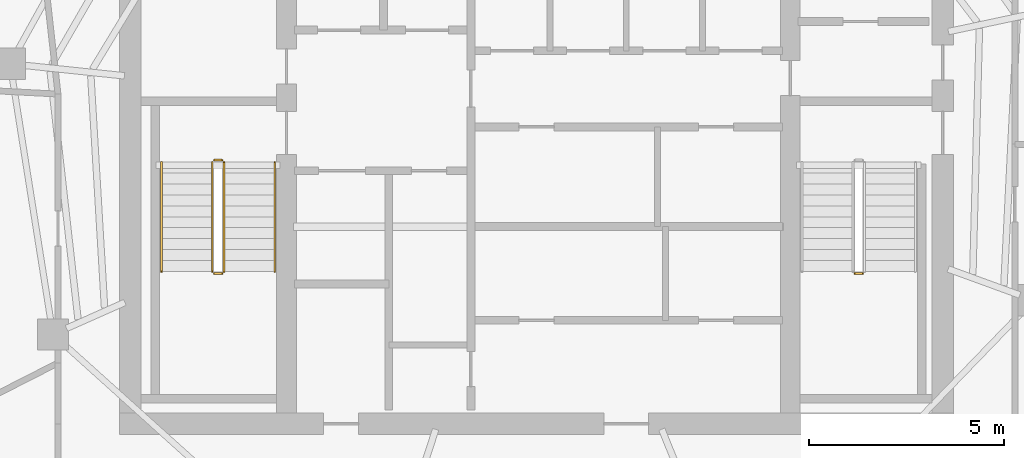
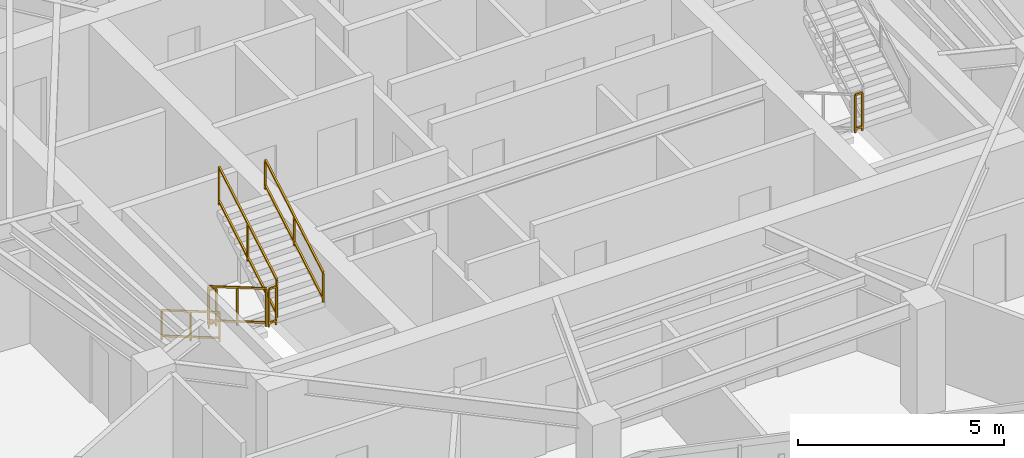
# One storey, part 17 of 19: 7 railings.
"""IFC4 building model written with IfcOpenShell, lengths in metres."""

from ifc_helpers import new_model, si_unit, direction, frame, origin, origin_2d, place, context, subcontext, project, spatial, rectangle, extrude, material, type_object, element, save


model = new_model("IFC4")

# Units and contexts
model_context = context("Model", 3, precision=1e-05, world=origin(), true_north=direction((0.0, 1.0)))
body_context = subcontext(model_context, "Body", "Model", "MODEL_VIEW")
ifc_project = project(units=[si_unit("LENGTHUNIT", "METRE"), si_unit("AREAUNIT", "SQUARE_METRE"), si_unit("VOLUMEUNIT", "CUBIC_METRE"), si_unit("PLANEANGLEUNIT", "RADIAN"), si_unit("MASSUNIT", "GRAM", prefix="KILO")], contexts=[model_context])

# Site, building, storey
site_placement = place(None, origin())
site = spatial("IfcSite", under=ifc_project, at=site_placement, CompositionType="ELEMENT")
building_placement = place(site_placement, origin())
building = spatial("IfcBuilding", under=site, at=building_placement, Name="Qarnah Convention Tower", CompositionType="ELEMENT")
storey_placement = place(building_placement, frame((0.0, 0.0, 228.300048828125)))
storey = spatial("IfcBuildingStorey", under=building, at=storey_placement, Name="L61", CompositionType="ELEMENT", Elevation=228.300048828125)

# Railings
ifc_material = material(Name="Structural steel S355JR", Category="steel")
railing_type_1 = type_object("IfcRailingType", Name="RL-STAIR-GUARD-1150", PredefinedType="GUARDRAIL", material=ifc_material)
railing_1_placement = place(storey_placement, frame((28.89990234375, 25.300048828125, 0.16357421875)))
element("IfcRailing", 1, at=railing_1_placement, inside=storey, type_object=railing_type_1, Name="L61 ST-1 stair guard 1", PredefinedType="GUARDRAIL", context=body_context, shape_type="SweptSolid", body=[
    extrude(rectangle(XDim=0.048095703125, YDim=0.048095703125, at=origin_2d()), frame((0.0, 0.0, 1.1259765625), z_axis=(0.0, -0.863360870873, 0.504586966384), x_axis=(1.0, 0.0, 0.0)), (0.0, 0.0, 1.0), 3.2431640625),
    extrude(rectangle(XDim=0.048095703125, YDim=0.048095703125, at=origin_2d()), frame((0.0, 0.0, 0.1201171875), z_axis=(0.0, -0.863360870873, 0.504586966384), x_axis=(1.0, 0.0, 0.0)), (0.0, 0.0, 1.0), 3.2431640625),
    extrude(rectangle(XDim=0.0419921875, YDim=0.0419921875, at=origin_2d()), origin(), (0.0, 0.0, 1.0), 1.101806640625),
    extrude(rectangle(XDim=0.0419921875, YDim=0.0419921875, at=origin_2d()), frame((0.0, -1.39990234375, 0.818359375)), (0.0, 0.0, 1.0), 1.101806640625),
    extrude(rectangle(XDim=0.0419921875, YDim=0.0419921875, at=origin_2d()), frame((0.0, -2.800048828125, 1.636474609375)), (0.0, 0.0, 1.0), 1.101806640625),
])
railing_2_placement = place(storey_placement, frame((28.949951171875, 22.449951171875, 1.800048828125)))
element("IfcRailing", 2, at=railing_2_placement, inside=storey, type_object=railing_type_1, Name="L61 ST-1 stair guard 2", PredefinedType="GUARDRAIL", context=body_context, shape_type="SweptSolid", body=[
    extrude(rectangle(XDim=0.048095703125, YDim=0.048095703125, at=origin_2d()), frame((0.0, 0.0, 1.1259765625), z_axis=(1.0, 0.0, 0.0), x_axis=(0.0, 1.0, 0.0)), (0.0, 0.0, 1.0), 0.199951171875),
    extrude(rectangle(XDim=0.048095703125, YDim=0.048095703125, at=origin_2d()), frame((0.0, 0.0, 0.1201171875), z_axis=(1.0, 0.0, 0.0), x_axis=(0.0, 1.0, 0.0)), (0.0, 0.0, 1.0), 0.199951171875),
    extrude(rectangle(XDim=0.0419921875, YDim=0.0419921875, at=origin_2d()), origin(), (0.0, 0.0, 1.0), 1.101806640625),
    extrude(rectangle(XDim=0.0419921875, YDim=0.0419921875, at=origin_2d()), frame((0.199951171875, 0.0, 0.0)), (0.0, 0.0, 1.0), 1.101806640625),
])
railing_3_placement = place(storey_placement, frame((29.199951171875, 22.5, 1.963623046875)))
element("IfcRailing", 3, at=railing_3_placement, inside=storey, type_object=railing_type_1, Name="L61 ST-1 stair guard 3", PredefinedType="GUARDRAIL", context=body_context, shape_type="SweptSolid", body=[
    extrude(rectangle(XDim=0.048095703125, YDim=0.048095703125, at=origin_2d()), frame((0.0, 0.0, 1.1259765625), z_axis=(0.0, 0.863393664356, 0.504530851732), x_axis=(-1.0, 0.0, 0.0)), (0.0, 0.0, 1.0), 3.2431640625),
    extrude(rectangle(XDim=0.048095703125, YDim=0.048095703125, at=origin_2d()), frame((0.0, 0.0, 0.1201171875), z_axis=(0.0, 0.863393664356, 0.504530851732), x_axis=(-1.0, 0.0, 0.0)), (0.0, 0.0, 1.0), 3.2431640625),
    extrude(rectangle(XDim=0.0419921875, YDim=0.0419921875, at=origin_2d()), origin(), (0.0, 0.0, 1.0), 1.101806640625),
    extrude(rectangle(XDim=0.0419921875, YDim=0.0419921875, at=origin_2d()), frame((0.0, 1.39990234375, 0.818115234375)), (0.0, 0.0, 1.0), 1.101806640625),
    extrude(rectangle(XDim=0.0419921875, YDim=0.0419921875, at=origin_2d()), frame((0.0, 2.800048828125, 1.63623046875)), (0.0, 0.0, 1.0), 1.101806640625),
])
for number, where, name in (
    (4, (28.949951171875, 25.35009765625, 0.0), "L61 ST-1 stair guard 4"),
    (5, (45.35009765625, 22.449951171875, 1.800048828125), "L61 ST-2 stair guard 2"),
):
    element("IfcRailing", number, at=place(storey_placement, frame(where)), inside=storey, type_object=railing_type_1, Name=name, PredefinedType="GUARDRAIL", context=body_context, shape_type="SweptSolid", body=[
        extrude(rectangle(XDim=0.048095703125, YDim=0.048095703125, at=origin_2d()), frame((0.0, 0.0, 1.1259765625), z_axis=(1.0, 0.0, 0.0), x_axis=(0.0, 1.0, 0.0)), (0.0, 0.0, 1.0), 0.199951171875),
        extrude(rectangle(XDim=0.048095703125, YDim=0.048095703125, at=origin_2d()), frame((0.0, 0.0, 0.1201171875), z_axis=(1.0, 0.0, 0.0), x_axis=(0.0, 1.0, 0.0)), (0.0, 0.0, 1.0), 0.199951171875),
        extrude(rectangle(XDim=0.0419921875, YDim=0.0419921875, at=origin_2d()), origin(), (0.0, 0.0, 1.0), 1.101806640625),
        extrude(rectangle(XDim=0.0419921875, YDim=0.0419921875, at=origin_2d()), frame((0.199951171875, 0.0, 0.0)), (0.0, 0.0, 1.0), 1.101806640625),
    ])
railing_type_2 = type_object("IfcRailingType", Name="RL-STAIR-HAND-900", PredefinedType="HANDRAIL", material=ifc_material)
railing_4_placement = place(storey_placement, frame((27.60009765625, 25.300048828125, 0.16357421875)))
element("IfcRailing", 6, at=railing_4_placement, inside=storey, type_object=railing_type_2, Name="L61 ST-1 stair handrail 1", PredefinedType="HANDRAIL", context=body_context, shape_type="SweptSolid", body=[
    extrude(rectangle(XDim=0.048095703125, YDim=0.048095703125, at=origin_2d()), frame((0.0, 0.0, 0.8759765625), z_axis=(0.0, -0.863360870873, 0.504586966384), x_axis=(1.0, 0.0, 0.0)), (0.0, 0.0, 1.0), 3.2431640625),
    extrude(rectangle(XDim=0.048095703125, YDim=0.048095703125, at=origin_2d()), frame((0.0, 0.0, 0.1201171875), z_axis=(0.0, -0.863360870873, 0.504586966384), x_axis=(1.0, 0.0, 0.0)), (0.0, 0.0, 1.0), 3.2431640625),
    extrude(rectangle(XDim=0.0419921875, YDim=0.0419921875, at=origin_2d()), origin(), (0.0, 0.0, 1.0), 0.851806640625),
    extrude(rectangle(XDim=0.0419921875, YDim=0.0419921875, at=origin_2d()), frame((0.0, -1.39990234375, 0.818359375)), (0.0, 0.0, 1.0), 0.851806640625),
    extrude(rectangle(XDim=0.0419921875, YDim=0.0419921875, at=origin_2d()), frame((0.0, -2.800048828125, 1.636474609375)), (0.0, 0.0, 1.0), 0.851806640625),
])
railing_5_placement = place(storey_placement, frame((30.5, 22.5, 1.963623046875)))
element("IfcRailing", 7, at=railing_5_placement, inside=storey, type_object=railing_type_2, Name="L61 ST-1 stair handrail 2", PredefinedType="HANDRAIL", context=body_context, shape_type="SweptSolid", body=[
    extrude(rectangle(XDim=0.048095703125, YDim=0.048095703125, at=origin_2d()), frame((0.0, 0.0, 0.8759765625), z_axis=(0.0, 0.863393664356, 0.504530851732), x_axis=(-1.0, 0.0, 0.0)), (0.0, 0.0, 1.0), 3.2431640625),
    extrude(rectangle(XDim=0.048095703125, YDim=0.048095703125, at=origin_2d()), frame((0.0, 0.0, 0.1201171875), z_axis=(0.0, 0.863393664356, 0.504530851732), x_axis=(-1.0, 0.0, 0.0)), (0.0, 0.0, 1.0), 3.2431640625),
    extrude(rectangle(XDim=0.0419921875, YDim=0.0419921875, at=origin_2d()), origin(), (0.0, 0.0, 1.0), 0.851806640625),
    extrude(rectangle(XDim=0.0419921875, YDim=0.0419921875, at=origin_2d()), frame((0.0, 1.39990234375, 0.818115234375)), (0.0, 0.0, 1.0), 0.851806640625),
    extrude(rectangle(XDim=0.0419921875, YDim=0.0419921875, at=origin_2d()), frame((0.0, 2.800048828125, 1.63623046875)), (0.0, 0.0, 1.0), 0.851806640625),
])

save(model, "model.ifc")
